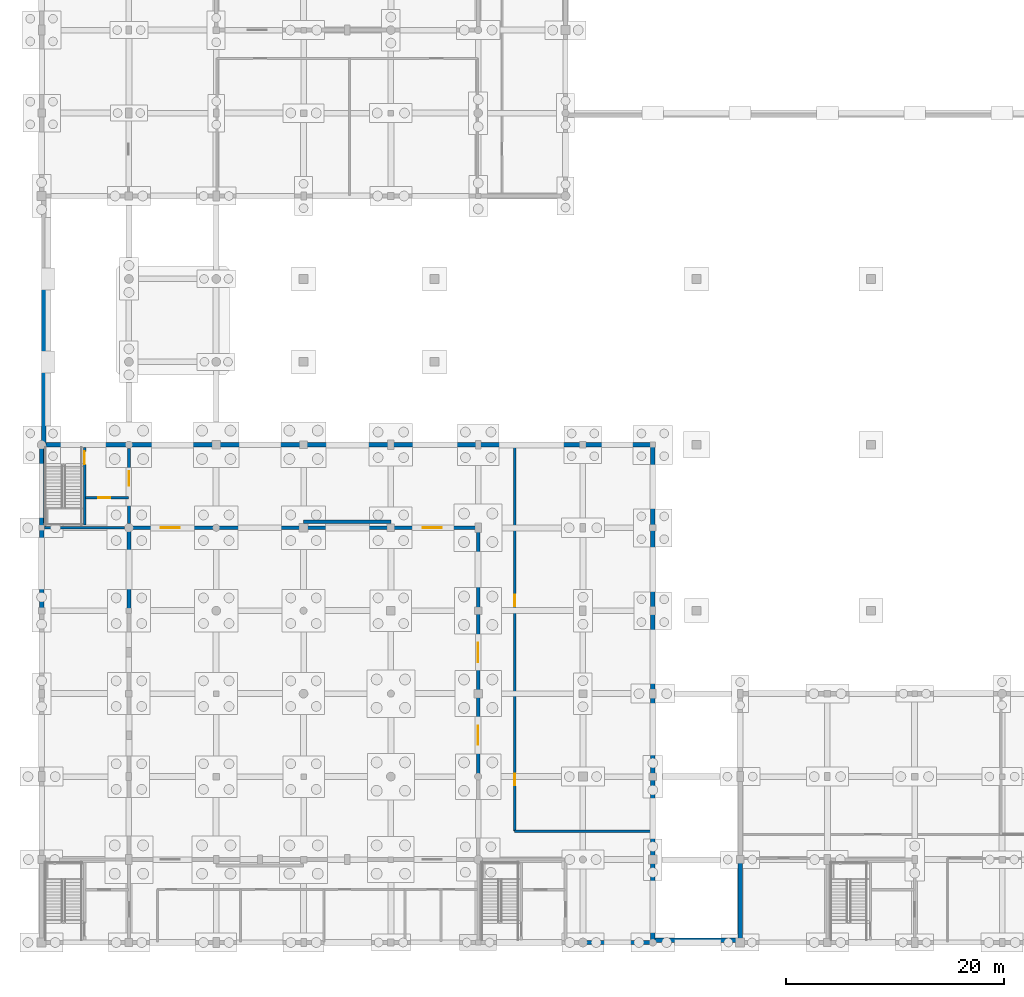
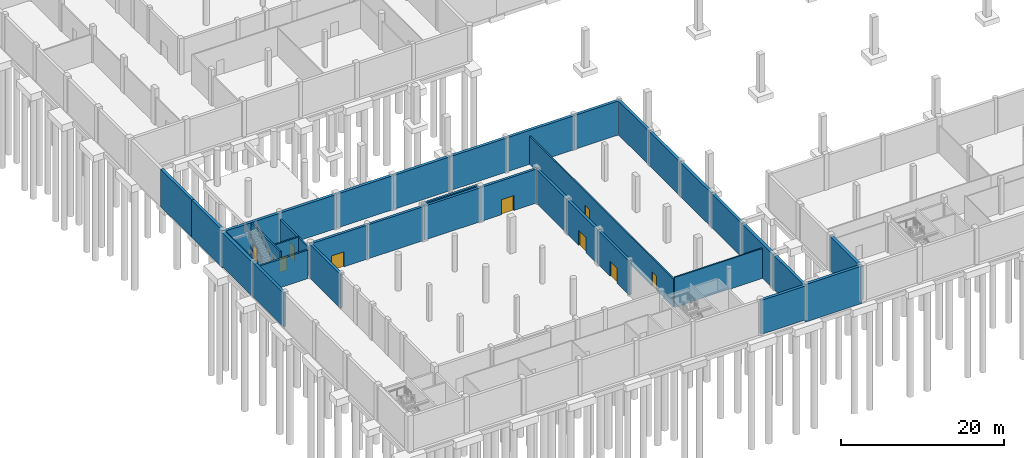
# One storey, part 24 of 44: 36 walls, 9 doors, 9 openings.
"""IFC4 building model written with IfcOpenShell, lengths in metres."""

from ifc_helpers import new_model, si_unit, direction, frame, frame_2d, origin, place, context, subcontext, project, spatial, rectangle, extrude, material, layer, layer_set, type_object, element, fill, save


model = new_model("IFC4")

# Units and contexts
model_context = context("Model", 3, precision=1e-05, world=origin(), true_north=direction((0.0, 1.0)))
body_context = subcontext(model_context, "Body", "Model", "MODEL_VIEW")
ifc_project = project(units=[si_unit("LENGTHUNIT", "METRE"), si_unit("AREAUNIT", "SQUARE_METRE"), si_unit("VOLUMEUNIT", "CUBIC_METRE"), si_unit("PLANEANGLEUNIT", "RADIAN"), si_unit("MASSUNIT", "GRAM", prefix="KILO")], contexts=[model_context])

# Site, building, storey
site_placement = place(None, origin())
site = spatial("IfcSite", under=ifc_project, at=site_placement, CompositionType="ELEMENT")
building_placement = place(site_placement, origin())
building = spatial("IfcBuilding", under=site, at=building_placement, Name="Khelvaren Railside Concert Hall", CompositionType="ELEMENT")
storey_placement = place(building_placement, frame((0.0, 0.0, -5.39990234375)))
storey = spatial("IfcBuildingStorey", under=building, at=storey_placement, Name="B1", CompositionType="ELEMENT", Elevation=-5.39990234375)

# Walls
ifc_material_1 = material(Name="Concrete C40/50", Category="concrete")
ifc_layer_1 = layer(ifc_material_1, 0.139892578125)
ifc_layer_set_1 = layer_set([ifc_layer_1], Name="Concrete C40/50")
wall_type_1 = type_object("IfcWallType", Name="CW17", PredefinedType="SOLIDWALL", material=ifc_layer_set_1)
wall_1_placement = place(storey_placement, frame((0.27490234375, 38.14990234375, 0.0), z_axis=(0.0, 0.0, 1.0), x_axis=(0.0, 1.0, 0.0)))
element("IfcWall", 1, at=wall_1_placement, inside=storey, type_object=wall_type_1, Name="Core Shaft Structural Liner Wall ST-11-B1", PredefinedType="SOLIDWALL", context=body_context, shape_type="SweptSolid", body=[
    extrude(rectangle(XDim=7.300048828125, YDim=0.139892578125, at=frame_2d((3.64990234375, 0.0))), origin(), (0.0, 0.0, 1.0), 5.079833984375),
])
ifc_layer_2 = layer(ifc_material_1, 0.25)
ifc_layer_set_2 = layer_set([ifc_layer_2], Name="Concrete C40/50")
wall_type_2 = type_object("IfcWallType", Name="CW82", PredefinedType="SOLIDWALL", material=ifc_layer_set_2)
wall_2_placement = place(storey_placement, frame((0.25, 38.0, 0.0), z_axis=(0.0, 0.0, 1.0), x_axis=(1.0, 0.0, 0.0)))
element("IfcWall", 2, at=wall_2_placement, inside=storey, type_object=wall_type_2, Name="Core Enclosure Wall CWALL-ST-11-B1-S", PredefinedType="SOLIDWALL", context=body_context, shape_type="SweptSolid", body=[
    extrude(rectangle(XDim=7.35009765625, YDim=0.25, at=frame_2d((3.675048828125, 0.0))), origin(), (0.0, 0.0, 1.0), 4.2548828125),
])

# Wall, opening, door
wall_3_placement = place(storey_placement, frame((8.0, 38.39990234375, 0.0), z_axis=(0.0, 0.0, 1.0), x_axis=(0.0, 1.0, 0.0)))
wall_3 = element("IfcWall", 3, at=wall_3_placement, inside=storey, type_object=wall_type_2, Name="Core Enclosure Wall CWALL-ST-11-B1-E", PredefinedType="SOLIDWALL", context=body_context, shape_type="SweptSolid", body=[
    extrude(rectangle(XDim=6.875, YDim=0.25, at=frame_2d((3.4375, 0.0))), origin(), (0.0, 0.0, 1.0), 4.2548828125),
])
opening_1_placement = place(wall_3_placement, frame((3.449951171875, 0.0, 0.0)))
opening_1 = element("IfcOpeningElement", 4, at=opening_1_placement, cuts=wall_3, Name="Opening FDR34", PredefinedType="OPENING", context=body_context, shape_type="SweptSolid", body=[
    extrude(rectangle(XDim=1.35009765625, YDim=2.199951171875, at=frame_2d((0.675048828125, 1.10009765625))), frame((0.0, 0.135009765625, 0.0), z_axis=(0.0, -1.0, 0.0), x_axis=(1.0, 0.0, 0.0)), (0.0, 0.0, 1.0), 0.27001953125),
])
ifc_material_2 = material(Name="Acoustic fire-rated timber-core steel frame door", Category="steel")
door_type_1 = type_object("IfcDoorType", Name="FDR34", OperationType="NOTDEFINED", PredefinedType="DOOR", material=ifc_material_2)
door_1_placement = place(opening_1_placement, origin())
door_1 = element("IfcDoor", 5, at=door_1_placement, inside=storey, type_object=door_type_1, Name="Interior Door DR-ST-11-B1-LOB", OperationType="SINGLE_SWING_LEFT", OverallHeight=2.199951171875, OverallWidth=1.35009765625, PredefinedType="DOOR", context=body_context, shape_type="SweptSolid", body=[
    extrude(rectangle(XDim=1.35009765625, YDim=2.199951171875, at=frame_2d((0.675048828125, 1.10009765625))), frame((0.0, 0.02490234375, 0.0), z_axis=(0.0, -1.0, 0.0), x_axis=(1.0, 0.0, 0.0)), (0.0, 0.0, 1.0), 0.050048828125),
])
fill(opening_1, door_1)

ifc_layer_3 = layer(ifc_material_1, 0.219970703125)
ifc_layer_set_3 = layer_set([ifc_layer_3], Name="Concrete C40/50")
wall_type_3 = type_object("IfcWallType", Name="CW97", PredefinedType="SOLIDWALL", material=ifc_layer_set_3)
wall_4_placement = place(storey_placement, frame((3.949951171875, 38.25, 0.0), z_axis=(0.0, 0.0, 1.0), x_axis=(0.0, 1.0, 0.0)))
wall_4 = element("IfcWall", 6, at=wall_4_placement, inside=storey, type_object=wall_type_3, Name="Core Enclosure Wall CWALL-ST-11-B1-MID", PredefinedType="SOLIDWALL", context=body_context, shape_type="SweptSolid", body=[
    extrude(rectangle(XDim=7.10009765625, YDim=0.219970703125, at=frame_2d((3.550048828125, 0.0))), origin(), (0.0, 0.0, 1.0), 5.079833984375),
])
opening_2_placement = place(wall_4_placement, frame((5.550048828125, 0.0, 0.0)))
opening_2 = element("IfcOpeningElement", 7, at=opening_2_placement, cuts=wall_4, Name="Opening FDR17", PredefinedType="OPENING", context=body_context, shape_type="SweptSolid", body=[
    extrude(rectangle(XDim=1.199951171875, YDim=2.14990234375, at=frame_2d((0.60009765625, 1.074951171875))), frame((0.0, 0.119873046875, 0.0), z_axis=(0.0, -1.0, 0.0), x_axis=(1.0, 0.0, 0.0)), (0.0, 0.0, 1.0), 0.239990234375),
])
door_type_2 = type_object("IfcDoorType", Name="FDR17", OperationType="NOTDEFINED", PredefinedType="DOOR", material=ifc_material_2)
door_2_placement = place(opening_2_placement, origin())
door_2 = element("IfcDoor", 8, at=door_2_placement, inside=storey, type_object=door_type_2, Name="Interior Door DR-ST-11-B1-ST", OperationType="SINGLE_SWING_RIGHT", OverallHeight=2.14990234375, OverallWidth=1.199951171875, PredefinedType="DOOR", context=body_context, shape_type="SweptSolid", body=[
    extrude(rectangle(XDim=1.199951171875, YDim=2.14990234375, at=frame_2d((0.60009765625, 1.074951171875))), frame((0.0, 0.02490234375, 0.0), z_axis=(0.0, -1.0, 0.0), x_axis=(1.0, 0.0, 0.0)), (0.0, 0.0, 1.0), 0.050048828125),
])
fill(opening_2, door_2)

wall_5_placement = place(storey_placement, frame((4.02001953125, 40.75, 0.0), z_axis=(0.0, 0.0, 1.0), x_axis=(1.0, 0.0, 0.0)))
wall_5 = element("IfcWall", 9, at=wall_5_placement, inside=storey, type_object=wall_type_3, Name="Core Enclosure Wall CWALL-ST-11-B1-SHF", PredefinedType="SOLIDWALL", context=body_context, shape_type="SweptSolid", body=[
    extrude(rectangle(XDim=3.929931640625, YDim=0.219970703125, at=frame_2d((1.96484375, 0.0))), origin(), (0.0, 0.0, 1.0), 4.429931640625),
])
opening_3_placement = place(wall_5_placement, frame((1.14990234375, 0.0, 0.0)))
opening_3 = element("IfcOpeningElement", 10, at=opening_3_placement, cuts=wall_5, Name="Opening LD-GL-01", PredefinedType="OPENING", context=body_context, shape_type="SweptSolid", body=[
    extrude(rectangle(XDim=1.10009765625, YDim=2.199951171875, at=frame_2d((0.550048828125, 1.10009765625))), frame((0.0, 0.119873046875, 0.0), z_axis=(0.0, -1.0, 0.0), x_axis=(1.0, 0.0, 0.0)), (0.0, 0.0, 1.0), 0.239990234375),
])
ifc_material_3 = material(Name="Fire-rated brushed stainless steel landing door", Category="steel")
door_type_3 = type_object("IfcDoorType", Name="LD96", OperationType="DOUBLE_DOOR_SLIDING", PredefinedType="DOOR", material=ifc_material_3)
door_3_placement = place(opening_3_placement, origin())
door_3 = element("IfcDoor", 11, at=door_3_placement, inside=storey, type_object=door_type_3, Name="Lift Landing Door LD-GL-01-B1", OperationType="DOUBLE_DOOR_SLIDING", OverallHeight=2.199951171875, OverallWidth=1.10009765625, PredefinedType="DOOR", context=body_context, shape_type="SweptSolid", body=[
    extrude(rectangle(XDim=1.10009765625, YDim=2.199951171875, at=frame_2d((0.550048828125, 1.10009765625))), frame((0.0, 0.02490234375, 0.0), z_axis=(0.0, -1.0, 0.0), x_axis=(1.0, 0.0, 0.0)), (0.0, 0.0, 1.0), 0.050048828125),
])
fill(opening_3, door_3)

# Wall, openings, doors
ifc_material_4 = material(Name="Acoustic double-stud gypsum partition", Category="gypsum")
ifc_layer_4 = layer(ifc_material_4, 0.199951171875)
ifc_layer_set_4 = layer_set([ifc_layer_4], Name="Acoustic double-stud gypsum partition")
wall_type_4 = type_object("IfcWallType", Name="PT33", PredefinedType="PARTITIONING", material=ifc_layer_set_4)
wall_6_placement = place(storey_placement, frame((43.35009765625, 10.199951171875, 0.0), z_axis=(0.0, 0.0, 1.0), x_axis=(0.0, 1.0, 0.0)))
wall_6 = element("IfcWall", 12, at=wall_6_placement, inside=storey, type_object=wall_type_4, Name="Acoustic Partition Wall PW-V1-B1-PLW", PredefinedType="PARTITIONING", context=body_context, shape_type="SweptSolid", body=[
    extrude(rectangle(XDim=35.320068359375, YDim=0.199951171875, at=frame_2d((17.66015625, 0.0))), origin(), (0.0, 0.0, 1.0), 4.204833984375),
])
opening_4_placement = place(wall_6_placement, frame((4.199951171875, 0.0, 0.0)))
opening_4 = element("IfcOpeningElement", 13, at=opening_4_placement, cuts=wall_6, Name="Opening IDR98", PredefinedType="OPENING", context=body_context, shape_type="SweptSolid", body=[
    extrude(rectangle(XDim=1.050048828125, YDim=2.10009765625, at=frame_2d((0.52490234375, 1.050048828125))), frame((0.0, 0.10986328125, 0.0), z_axis=(0.0, -1.0, 0.0), x_axis=(1.0, 0.0, 0.0)), (0.0, 0.0, 1.0), 0.219970703125),
])
opening_5_placement = place(wall_6_placement, frame((20.60009765625, 0.0, 0.0)))
opening_5 = element("IfcOpeningElement", 14, at=opening_5_placement, cuts=wall_6, Name="Opening IDR48", PredefinedType="OPENING", context=body_context, shape_type="SweptSolid", body=[
    extrude(rectangle(XDim=1.080078125, YDim=2.10009765625, at=frame_2d((0.5400390625, 1.050048828125))), frame((0.0, 0.10986328125, 0.0), z_axis=(0.0, -1.0, 0.0), x_axis=(1.0, 0.0, 0.0)), (0.0, 0.0, 1.0), 0.219970703125),
])
ifc_material_5 = material(Name="Solid oak acoustic studio door", Category="wood")
door_type_4 = type_object("IfcDoorType", Name="IDR48", OperationType="NOTDEFINED", PredefinedType="DOOR", material=ifc_material_5)
door_4_placement = place(opening_5_placement, origin())
door_4 = element("IfcDoor", 15, at=door_4_placement, inside=storey, type_object=door_type_4, Name="Interior Door DR-V1-B1-PL2", OperationType="SINGLE_SWING_RIGHT", OverallHeight=2.10009765625, OverallWidth=1.080078125, PredefinedType="DOOR", context=body_context, shape_type="SweptSolid", body=[
    extrude(rectangle(XDim=1.080078125, YDim=2.10009765625, at=frame_2d((0.5400390625, 1.050048828125))), frame((0.0, 0.02490234375, 0.0), z_axis=(0.0, -1.0, 0.0), x_axis=(1.0, 0.0, 0.0)), (0.0, 0.0, 1.0), 0.050048828125),
])
fill(opening_5, door_4)
door_type_5 = type_object("IfcDoorType", Name="IDR98", OperationType="NOTDEFINED", PredefinedType="DOOR", material=ifc_material_5)
door_5_placement = place(opening_4_placement, origin())
door_5 = element("IfcDoor", 16, at=door_5_placement, inside=storey, type_object=door_type_5, Name="Interior Door DR-V1-B1-PL1", OperationType="SINGLE_SWING_LEFT", OverallHeight=2.10009765625, OverallWidth=1.050048828125, PredefinedType="DOOR", context=body_context, shape_type="SweptSolid", body=[
    extrude(rectangle(XDim=1.050048828125, YDim=2.10009765625, at=frame_2d((0.52490234375, 1.050048828125))), frame((0.0, 0.02490234375, 0.0), z_axis=(0.0, -1.0, 0.0), x_axis=(1.0, 0.0, 0.0)), (0.0, 0.0, 1.0), 0.050048828125),
])
fill(opening_4, door_5)

# Walls
wall_7_placement = place(storey_placement, frame((43.35009765625, 10.199951171875, 0.0), z_axis=(0.0, 0.0, 1.0), x_axis=(1.0, 0.0, 0.0)))
element("IfcWall", 17, at=wall_7_placement, inside=storey, type_object=wall_type_4, Name="Acoustic Partition Wall PW-V1-B1-PLS", PredefinedType="PARTITIONING", context=body_context, shape_type="SweptSolid", body=[
    extrude(rectangle(XDim=12.56982421875, YDim=0.199951171875, at=frame_2d((6.284912109375, 0.0))), origin(), (0.0, 0.0, 1.0), 4.46484375),
])
ifc_layer_5 = layer(ifc_material_1, 0.39990234375)
ifc_layer_set_5 = layer_set([ifc_layer_5], Name="Concrete C40/50")
wall_type_5 = type_object("IfcWallType", Name="RW96", PredefinedType="USERDEFINED", material=ifc_layer_set_5)
wall_8_placement = place(storey_placement, frame((49.60009765625, 0.0, 0.0), z_axis=(0.0, 0.0, 1.0), x_axis=(1.0, 0.0, 0.0)))
element("IfcWall", 18, at=wall_8_placement, inside=storey, type_object=wall_type_5, Name="V1 Basement Retaining Wall S07", ObjectType="RETAINING WALL", PredefinedType="USERDEFINED", context=body_context, shape_type="SweptSolid", body=[
    extrude(rectangle(XDim=6.39990234375, YDim=0.39990234375, at=frame_2d((3.199951171875, 0.0))), origin(), (0.0, 0.0, 1.0), 5.079833984375),
])
for number, where, z_axis, x_axis, name in (
    (19, (8.0, 45.60009765625, 0.0), (0.0, 0.0, 1.0), (-1.0, 0.0, 0.0), "V1 Basement Retaining Wall N01"),
    (20, (16.0, 45.60009765625, 0.0), (0.0, 0.0, 1.0), (-1.0, 0.0, 0.0), "V1 Basement Retaining Wall N02"),
    (21, (24.0, 45.60009765625, 0.0), (0.0, 0.0, 1.0), (-1.0, 0.0, 0.0), "V1 Basement Retaining Wall N03"),
    (22, (32.0, 45.60009765625, 0.0), (0.0, 0.0, 1.0), (-1.0, 0.0, 0.0), "V1 Basement Retaining Wall N04"),
    (23, (40.0, 45.60009765625, 0.0), (0.0, 0.0, 1.0), (-1.0, 0.0, 0.0), "V1 Basement Retaining Wall N05"),
):
    element("IfcWall", number, at=place(storey_placement, frame(where, z_axis=z_axis, x_axis=x_axis)), inside=storey, type_object=wall_type_5, Name=name, ObjectType="RETAINING WALL", PredefinedType="USERDEFINED", context=body_context, shape_type="SweptSolid", body=[
        extrude(rectangle(XDim=8.0, YDim=0.39990234375, at=frame_2d((4.0, 0.0))), origin(), (0.0, 0.0, 1.0), 5.079833984375),
    ])
wall_9_placement = place(storey_placement, frame((49.60009765625, 45.60009765625, 0.0), z_axis=(0.0, 0.0, 1.0), x_axis=(-1.0, 0.0, 0.0)))
element("IfcWall", 24, at=wall_9_placement, inside=storey, type_object=wall_type_5, Name="V1 Basement Retaining Wall N06", ObjectType="RETAINING WALL", PredefinedType="USERDEFINED", context=body_context, shape_type="SweptSolid", body=[
    extrude(rectangle(XDim=9.60009765625, YDim=0.39990234375, at=frame_2d((4.800048828125, 0.0))), origin(), (0.0, 0.0, 1.0), 5.079833984375),
])
wall_10_placement = place(storey_placement, frame((56.0, 45.60009765625, 0.0), z_axis=(0.0, 0.0, 1.0), x_axis=(-1.0, 0.0, 0.0)))
element("IfcWall", 25, at=wall_10_placement, inside=storey, type_object=wall_type_5, Name="V1 Basement Retaining Wall N07", ObjectType="RETAINING WALL", PredefinedType="USERDEFINED", context=body_context, shape_type="SweptSolid", body=[
    extrude(rectangle(XDim=6.39990234375, YDim=0.39990234375, at=frame_2d((3.199951171875, 0.0))), origin(), (0.0, 0.0, 1.0), 5.079833984375),
])
for number, where, z_axis, x_axis, name in (
    (26, (0.0, 38.0, 0.0), (0.0, 0.0, 1.0), (0.0, -1.0, 0.0), "V1 Basement Retaining Wall W05"),
    (27, (0.0, 45.60009765625, 0.0), (0.0, 0.0, 1.0), (0.0, -1.0, 0.0), "V1 Basement Retaining Wall W06"),
    (28, (56.0, 0.0, 0.0), (0.0, 0.0, 1.0), (0.0, 1.0, 0.0), "V1 Basement Retaining Wall E01"),
):
    element("IfcWall", number, at=place(storey_placement, frame(where, z_axis=z_axis, x_axis=x_axis)), inside=storey, type_object=wall_type_5, Name=name, ObjectType="RETAINING WALL", PredefinedType="USERDEFINED", context=body_context, shape_type="SweptSolid", body=[
        extrude(rectangle(XDim=7.60009765625, YDim=0.39990234375, at=frame_2d((3.800048828125, 0.0))), origin(), (0.0, 0.0, 1.0), 5.079833984375),
    ])
wall_11_placement = place(storey_placement, frame((56.0, 7.60009765625, 0.0), z_axis=(0.0, 0.0, 1.0), x_axis=(0.0, 1.0, 0.0)))
element("IfcWall", 29, at=wall_11_placement, inside=storey, type_object=wall_type_5, Name="V1 Basement Retaining Wall E02", ObjectType="RETAINING WALL", PredefinedType="USERDEFINED", context=body_context, shape_type="SweptSolid", body=[
    extrude(rectangle(XDim=7.599853515625, YDim=0.39990234375, at=frame_2d((3.7998046875, 0.0))), origin(), (0.0, 0.0, 1.0), 5.079833984375),
])
wall_12_placement = place(storey_placement, frame((56.0, 15.199951171875, 0.0), z_axis=(0.0, 0.0, 1.0), x_axis=(0.0, 1.0, 0.0)))
element("IfcWall", 30, at=wall_12_placement, inside=storey, type_object=wall_type_5, Name="V1 Basement Retaining Wall E03", ObjectType="RETAINING WALL", PredefinedType="USERDEFINED", context=body_context, shape_type="SweptSolid", body=[
    extrude(rectangle(XDim=7.60009765625, YDim=0.39990234375, at=frame_2d((3.800048828125, 0.0))), origin(), (0.0, 0.0, 1.0), 5.079833984375),
])
wall_13_placement = place(storey_placement, frame((56.0, 22.800048828125, 0.0), z_axis=(0.0, 0.0, 1.0), x_axis=(0.0, 1.0, 0.0)))
element("IfcWall", 31, at=wall_13_placement, inside=storey, type_object=wall_type_5, Name="V1 Basement Retaining Wall E04", ObjectType="RETAINING WALL", PredefinedType="USERDEFINED", context=body_context, shape_type="SweptSolid", body=[
    extrude(rectangle(XDim=7.599853515625, YDim=0.39990234375, at=frame_2d((3.7998046875, 0.0))), origin(), (0.0, 0.0, 1.0), 5.079833984375),
])
for number, where, z_axis, x_axis, name in (
    (32, (56.0, 30.39990234375, 0.0), (0.0, 0.0, 1.0), (0.0, 1.0, 0.0), "V1 Basement Retaining Wall E05"),
    (33, (56.0, 38.0, 0.0), (0.0, 0.0, 1.0), (0.0, 1.0, 0.0), "V1 Basement Retaining Wall E06"),
    (34, (64.0, 7.60009765625, 0.0), (0.0, 0.0, 1.0), (0.0, -1.0, 0.0), "V3 Basement Retaining Wall W01"),
):
    element("IfcWall", number, at=place(storey_placement, frame(where, z_axis=z_axis, x_axis=x_axis)), inside=storey, type_object=wall_type_5, Name=name, ObjectType="RETAINING WALL", PredefinedType="USERDEFINED", context=body_context, shape_type="SweptSolid", body=[
        extrude(rectangle(XDim=7.60009765625, YDim=0.39990234375, at=frame_2d((3.800048828125, 0.0))), origin(), (0.0, 0.0, 1.0), 5.079833984375),
    ])
wall_14_placement = place(storey_placement, frame((0.199951171875, 45.60009765625, -0.5), z_axis=(0.0, 0.0, 1.0), x_axis=(0.0, 1.0, 0.0)))
element("IfcWall", 35, at=wall_14_placement, inside=storey, type_object=wall_type_5, Name="Courtyard Perimeter Retaining Wall COURT-W01", ObjectType="RETAINING WALL", PredefinedType="USERDEFINED", context=body_context, shape_type="SweptSolid", body=[
    extrude(rectangle(XDim=7.599853515625, YDim=0.39990234375, at=frame_2d((3.7998046875, 0.0))), origin(), (0.0, 0.0, 1.0), 5.599853515625),
])
wall_15_placement = place(storey_placement, frame((0.199951171875, 53.199951171875, -0.5), z_axis=(0.0, 0.0, 1.0), x_axis=(0.0, 1.0, 0.0)))
element("IfcWall", 36, at=wall_15_placement, inside=storey, type_object=wall_type_5, Name="Courtyard Perimeter Retaining Wall COURT-W02", ObjectType="RETAINING WALL", PredefinedType="USERDEFINED", context=body_context, shape_type="SweptSolid", body=[
    extrude(rectangle(XDim=7.60009765625, YDim=0.39990234375, at=frame_2d((3.800048828125, 0.0))), origin(), (0.0, 0.0, 1.0), 5.599853515625),
])
wall_16_placement = place(storey_placement, frame((64.0, 0.199951171875, -0.5), z_axis=(0.0, 0.0, 1.0), x_axis=(-1.0, 0.0, 0.0)))
element("IfcWall", 37, at=wall_16_placement, inside=storey, type_object=wall_type_5, Name="Courtyard Perimeter Retaining Wall COURT-SW01", ObjectType="RETAINING WALL", PredefinedType="USERDEFINED", context=body_context, shape_type="SweptSolid", body=[
    extrude(rectangle(XDim=8.0, YDim=0.39990234375, at=frame_2d((4.0, 0.0))), origin(), (0.0, 0.0, 1.0), 5.599853515625),
])
ifc_layer_6 = layer(ifc_material_1, 0.300048828125)
ifc_layer_set_6 = layer_set([ifc_layer_6], Name="Concrete C40/50")
wall_type_6 = type_object("IfcWallType", Name="SW62", PredefinedType="SHEAR", material=ifc_layer_set_6)
wall_17_placement = place(storey_placement, frame((24.0, 38.550048828125, 0.0), z_axis=(0.0, 0.0, 1.0), x_axis=(1.0, 0.0, 0.0)))
element("IfcWall", 38, at=wall_17_placement, inside=storey, type_object=wall_type_6, Name="V1 Outer Box Isolation Wall B1-2", PredefinedType="SHEAR", context=body_context, shape_type="SweptSolid", body=[
    extrude(rectangle(XDim=8.0, YDim=0.300048828125, at=frame_2d((4.0, 0.0))), origin(), (0.0, 0.0, 1.0), 5.079833984375),
])

# Wall, opening, door
ifc_layer_7 = layer(ifc_material_1, 0.35009765625)
ifc_layer_set_7 = layer_set([ifc_layer_7], Name="Concrete C40/50")
wall_type_7 = type_object("IfcWallType", Name="SW91", PredefinedType="SHEAR", material=ifc_layer_set_7)
wall_18_placement = place(storey_placement, frame((8.0, 38.0, 0.0), z_axis=(0.0, 0.0, 1.0), x_axis=(1.0, 0.0, 0.0)))
wall_18 = element("IfcWall", 39, at=wall_18_placement, inside=storey, type_object=wall_type_7, Name="V1 Acoustic Box Shear Wall B1 N1", PredefinedType="SHEAR", context=body_context, shape_type="SweptSolid", body=[
    extrude(rectangle(XDim=8.0, YDim=0.35009765625, at=frame_2d((4.0, 0.0))), origin(), (0.0, 0.0, 1.0), 5.079833984375),
])
opening_6_placement = place(wall_18_placement, frame((2.89990234375, 0.0, 0.0)))
opening_6 = element("IfcOpeningElement", 40, at=opening_6_placement, cuts=wall_18, Name="Opening ADR83", PredefinedType="OPENING", context=body_context, shape_type="SweptSolid", body=[
    extrude(rectangle(XDim=1.75, YDim=2.25, at=frame_2d((0.875, 1.125))), frame((0.0, 0.18505859375, 0.0), z_axis=(0.0, -1.0, 0.0), x_axis=(1.0, 0.0, 0.0)), (0.0, 0.0, 1.0), 0.3701171875),
])
ifc_material_6 = material(Name="Heavy acoustic double sound-lock fire door", Category="wood")
door_type_6 = type_object("IfcDoorType", Name="ADR83", OperationType="DOUBLE_DOOR_SINGLE_SWING", PredefinedType="DOOR", material=ifc_material_6)
door_6_placement = place(opening_6_placement, origin())
door_6 = element("IfcDoor", 41, at=door_6_placement, inside=storey, type_object=door_type_6, Name="Main Concert Hall Acoustic Sound-Lock Door B1-N1", OperationType="DOUBLE_DOOR_SINGLE_SWING", OverallHeight=2.25, OverallWidth=1.75, PredefinedType="DOOR", context=body_context, shape_type="SweptSolid", body=[
    extrude(rectangle(XDim=1.75, YDim=2.25, at=frame_2d((0.875, 1.125))), frame((0.0, 0.02490234375, 0.0), z_axis=(0.0, -1.0, 0.0), x_axis=(1.0, 0.0, 0.0)), (0.0, 0.0, 1.0), 0.050048828125),
])
fill(opening_6, door_6)

# Walls
for number, where, z_axis, x_axis, name in (
    (42, (16.0, 38.0, 0.0), (0.0, 0.0, 1.0), (1.0, 0.0, 0.0), "V1 Acoustic Box Shear Wall B1 N2"),
    (43, (24.0, 38.0, 0.0), (0.0, 0.0, 1.0), (1.0, 0.0, 0.0), "V1 Acoustic Box Shear Wall B1 N3"),
):
    element("IfcWall", number, at=place(storey_placement, frame(where, z_axis=z_axis, x_axis=x_axis)), inside=storey, type_object=wall_type_7, Name=name, PredefinedType="SHEAR", context=body_context, shape_type="SweptSolid", body=[
        extrude(rectangle(XDim=8.0, YDim=0.35009765625, at=frame_2d((4.0, 0.0))), origin(), (0.0, 0.0, 1.0), 5.079833984375),
    ])

# Wall, opening, door
wall_19_placement = place(storey_placement, frame((32.0, 38.0, 0.0), z_axis=(0.0, 0.0, 1.0), x_axis=(1.0, 0.0, 0.0)))
wall_19 = element("IfcWall", 44, at=wall_19_placement, inside=storey, type_object=wall_type_7, Name="V1 Acoustic Box Shear Wall B1 N4", PredefinedType="SHEAR", context=body_context, shape_type="SweptSolid", body=[
    extrude(rectangle(XDim=8.0, YDim=0.35009765625, at=frame_2d((4.0, 0.0))), origin(), (0.0, 0.0, 1.0), 5.079833984375),
])
opening_7_placement = place(wall_19_placement, frame((2.89990234375, 0.0, 0.0)))
opening_7 = element("IfcOpeningElement", 45, at=opening_7_placement, cuts=wall_19, Name="Opening ADR83", PredefinedType="OPENING", context=body_context, shape_type="SweptSolid", body=[
    extrude(rectangle(XDim=1.75, YDim=2.25, at=frame_2d((0.875, 1.125))), frame((0.0, 0.18505859375, 0.0), z_axis=(0.0, -1.0, 0.0), x_axis=(1.0, 0.0, 0.0)), (0.0, 0.0, 1.0), 0.3701171875),
])
door_7_placement = place(opening_7_placement, origin())
door_7 = element("IfcDoor", 46, at=door_7_placement, inside=storey, type_object=door_type_6, Name="Main Concert Hall Acoustic Sound-Lock Door B1-N4", OperationType="DOUBLE_DOOR_SINGLE_SWING", OverallHeight=2.25, OverallWidth=1.75, PredefinedType="DOOR", context=body_context, shape_type="SweptSolid", body=[
    extrude(rectangle(XDim=1.75, YDim=2.25, at=frame_2d((0.875, 1.125))), frame((0.0, 0.02490234375, 0.0), z_axis=(0.0, -1.0, 0.0), x_axis=(1.0, 0.0, 0.0)), (0.0, 0.0, 1.0), 0.050048828125),
])
fill(opening_7, door_7)

# Wall
wall_20_placement = place(storey_placement, frame((8.0, 30.39990234375, 0.0), z_axis=(0.0, 0.0, 1.0), x_axis=(0.0, 1.0, 0.0)))
element("IfcWall", 47, at=wall_20_placement, inside=storey, type_object=wall_type_7, Name="V1 Acoustic Box Shear Wall B1 W4", PredefinedType="SHEAR", context=body_context, shape_type="SweptSolid", body=[
    extrude(rectangle(XDim=7.60009765625, YDim=0.35009765625, at=frame_2d((3.800048828125, 0.0))), origin(), (0.0, 0.0, 1.0), 5.079833984375),
])

# Wall, opening, door
wall_21_placement = place(storey_placement, frame((40.0, 15.199951171875, 0.0), z_axis=(0.0, 0.0, 1.0), x_axis=(0.0, 1.0, 0.0)))
wall_21 = element("IfcWall", 48, at=wall_21_placement, inside=storey, type_object=wall_type_7, Name="V1 Acoustic Box Shear Wall B1 E2", PredefinedType="SHEAR", context=body_context, shape_type="SweptSolid", body=[
    extrude(rectangle(XDim=7.60009765625, YDim=0.35009765625, at=frame_2d((3.800048828125, 0.0))), origin(), (0.0, 0.0, 1.0), 5.079833984375),
])
opening_8_placement = place(wall_21_placement, frame((2.89990234375, 0.0, 0.0)))
opening_8 = element("IfcOpeningElement", 49, at=opening_8_placement, cuts=wall_21, Name="Opening ADR83", PredefinedType="OPENING", context=body_context, shape_type="SweptSolid", body=[
    extrude(rectangle(XDim=1.75, YDim=2.25, at=frame_2d((0.875, 1.125))), frame((0.0, 0.18505859375, 0.0), z_axis=(0.0, -1.0, 0.0), x_axis=(1.0, 0.0, 0.0)), (0.0, 0.0, 1.0), 0.3701171875),
])
door_8_placement = place(opening_8_placement, origin())
door_8 = element("IfcDoor", 50, at=door_8_placement, inside=storey, type_object=door_type_6, Name="Main Concert Hall Acoustic Sound-Lock Door B1-E2", OperationType="DOUBLE_DOOR_SINGLE_SWING", OverallHeight=2.25, OverallWidth=1.75, PredefinedType="DOOR", context=body_context, shape_type="SweptSolid", body=[
    extrude(rectangle(XDim=1.75, YDim=2.25, at=frame_2d((0.875, 1.125))), frame((0.0, 0.02490234375, 0.0), z_axis=(0.0, -1.0, 0.0), x_axis=(1.0, 0.0, 0.0)), (0.0, 0.0, 1.0), 0.050048828125),
])
fill(opening_8, door_8)

wall_22_placement = place(storey_placement, frame((40.0, 22.800048828125, 0.0), z_axis=(0.0, 0.0, 1.0), x_axis=(0.0, 1.0, 0.0)))
wall_22 = element("IfcWall", 51, at=wall_22_placement, inside=storey, type_object=wall_type_7, Name="V1 Acoustic Box Shear Wall B1 E3", PredefinedType="SHEAR", context=body_context, shape_type="SweptSolid", body=[
    extrude(rectangle(XDim=7.599853515625, YDim=0.35009765625, at=frame_2d((3.7998046875, 0.0))), origin(), (0.0, 0.0, 1.0), 5.079833984375),
])
opening_9_placement = place(wall_22_placement, frame((2.89990234375, 0.0, 0.0)))
opening_9 = element("IfcOpeningElement", 52, at=opening_9_placement, cuts=wall_22, Name="Opening ADR83", PredefinedType="OPENING", context=body_context, shape_type="SweptSolid", body=[
    extrude(rectangle(XDim=1.75, YDim=2.25, at=frame_2d((0.875, 1.125))), frame((0.0, 0.18505859375, 0.0), z_axis=(0.0, -1.0, 0.0), x_axis=(1.0, 0.0, 0.0)), (0.0, 0.0, 1.0), 0.3701171875),
])
door_9_placement = place(opening_9_placement, origin())
door_9 = element("IfcDoor", 53, at=door_9_placement, inside=storey, type_object=door_type_6, Name="Main Concert Hall Acoustic Sound-Lock Door B1-E3", OperationType="DOUBLE_DOOR_SINGLE_SWING", OverallHeight=2.25, OverallWidth=1.75, PredefinedType="DOOR", context=body_context, shape_type="SweptSolid", body=[
    extrude(rectangle(XDim=1.75, YDim=2.25, at=frame_2d((0.875, 1.125))), frame((0.0, 0.02490234375, 0.0), z_axis=(0.0, -1.0, 0.0), x_axis=(1.0, 0.0, 0.0)), (0.0, 0.0, 1.0), 0.050048828125),
])
fill(opening_9, door_9)

# Wall
wall_23_placement = place(storey_placement, frame((40.0, 30.39990234375, 0.0), z_axis=(0.0, 0.0, 1.0), x_axis=(0.0, 1.0, 0.0)))
element("IfcWall", 54, at=wall_23_placement, inside=storey, type_object=wall_type_7, Name="V1 Acoustic Box Shear Wall B1 E4", PredefinedType="SHEAR", context=body_context, shape_type="SweptSolid", body=[
    extrude(rectangle(XDim=7.60009765625, YDim=0.35009765625, at=frame_2d((3.800048828125, 0.0))), origin(), (0.0, 0.0, 1.0), 5.079833984375),
])

save(model, "model.ifc")
